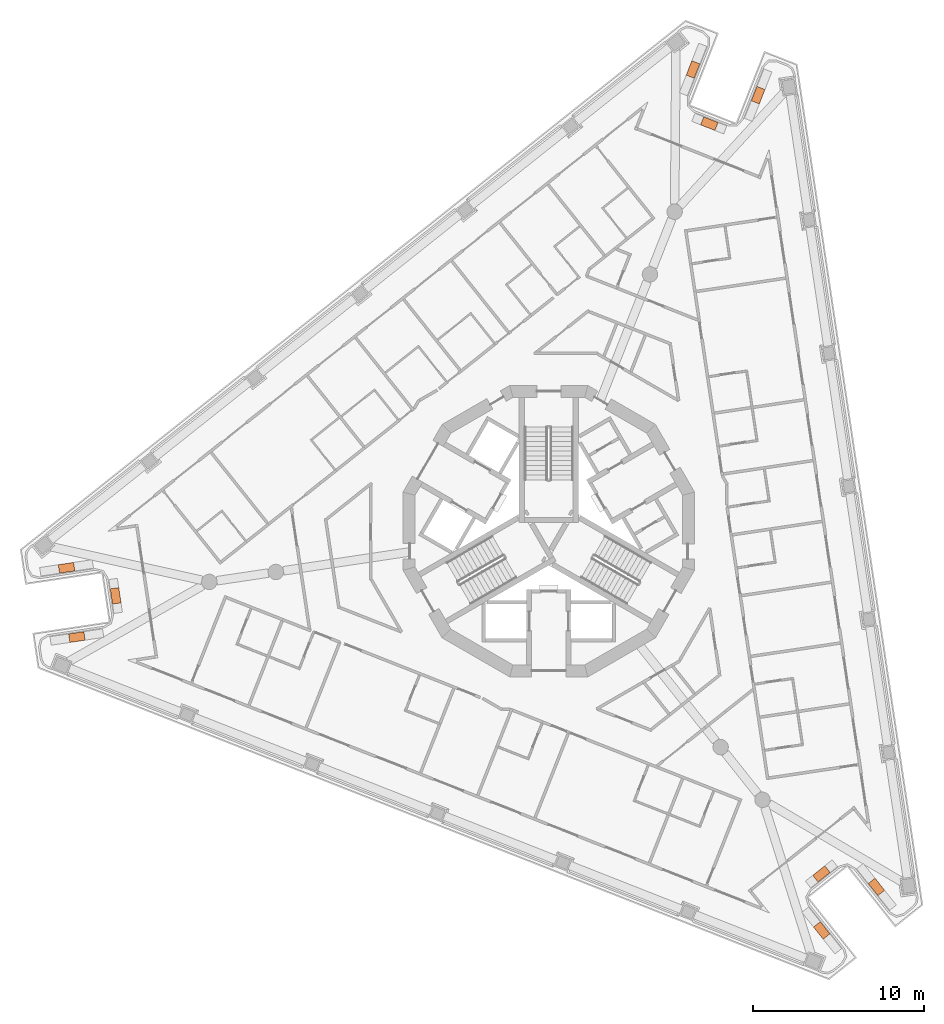
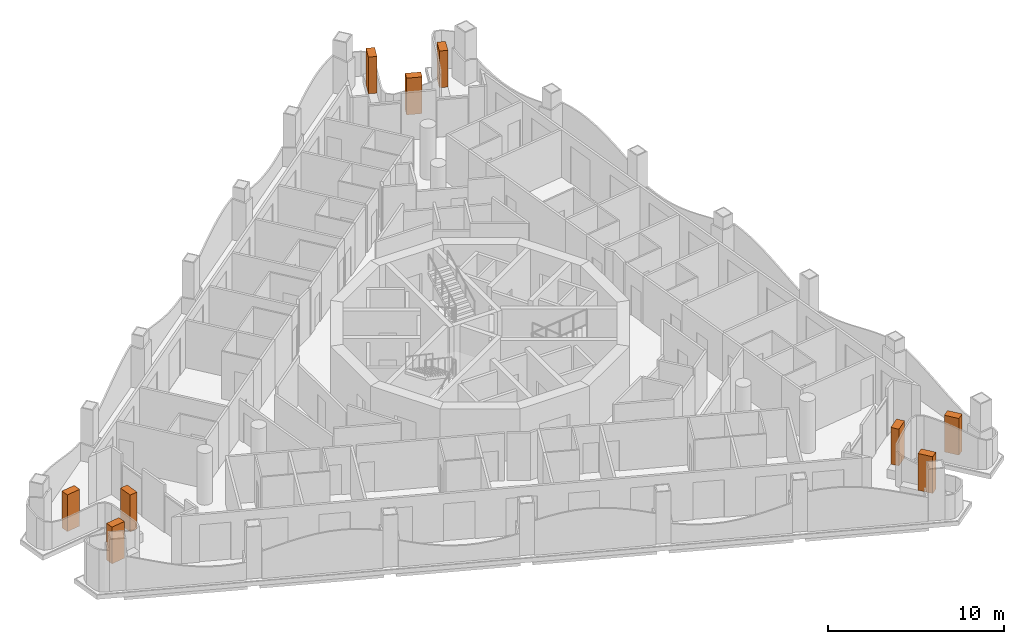
# One storey, part 17 of 17: 9 geographic elements.
"""IFC4 building model written with IfcOpenShell, lengths in metres."""

from ifc_helpers import new_model, si_unit, direction, frame, origin, origin_2d, place, context, subcontext, project, spatial, rectangle, extrude, element, save


model = new_model("IFC4")

# Units and contexts
model_context = context("Model", 3, precision=1e-05, world=origin(), true_north=direction((0.0, 1.0)))
body_context = subcontext(model_context, "Body", "Model", "MODEL_VIEW")
ifc_project = project(units=[si_unit("LENGTHUNIT", "METRE"), si_unit("AREAUNIT", "SQUARE_METRE"), si_unit("VOLUMEUNIT", "CUBIC_METRE"), si_unit("PLANEANGLEUNIT", "RADIAN"), si_unit("MASSUNIT", "GRAM", prefix="KILO")], contexts=[model_context])

# Site, building, storey
site_placement = place(None, origin())
site = spatial("IfcSite", under=ifc_project, at=site_placement, CompositionType="ELEMENT")
building_placement = place(site_placement, origin())
building = spatial("IfcBuilding", under=site, at=building_placement, Name="Trine Commons Tower", CompositionType="ELEMENT")
storey_placement = place(building_placement, frame((0.0, 0.0, 212.39990234375)))
storey = spatial("IfcBuildingStorey", under=building, at=storey_placement, Name="L55", CompositionType="ELEMENT", Elevation=212.39990234375)

# Geographic elements
for number, where, z_axis, x_axis, name in (
    (1, (52.4794921875, 56.324462890625, 0.60009765625), (0.0, 0.0, 1.0), (0.989018700917, 0.147790423361, 0.0), "Tree 1.1"),
    (2, (54.73974609375, 58.724853515625, 0.60009765625), (0.0, 0.0, 1.0), (-0.147812863445, 0.989015347404, 0.0), "Tree 2.1"),
    (3, (51.87646484375, 60.359619140625, 0.60009765625), (0.0, 0.0, 1.0), (-0.989014831433, -0.147816315759, 0.0), "Tree 3.1"),
    (4, (88.412109375, 89.421142578125, 0.60009765625), (0.0, 0.0, 1.0), (-0.366494731175, -0.930420126621, 0.0), "Tree 4.1"),
    (5, (89.360595703125, 86.263671875, 0.60009765625), (0.0, 0.0, 1.0), (0.930416928315, -0.366502850609, 0.0), "Tree 5.1"),
    (6, (92.2080078125, 87.92578125, 0.60009765625), (0.0, 0.0, 1.0), (0.366520713264, 0.930409891794, 0.0), "Tree 6.1"),
    (7, (99.1083984375, 41.75439453125, 0.60009765625), (0.0, 0.0, 1.0), (-0.622516002546, 0.782607070358, 0.0), "Tree 7.1"),
    (8, (95.899658203125, 42.511474609375, 0.60009765625), (0.0, 0.0, 1.0), (-0.782586426516, -0.622541954437, 0.0), "Tree 8.1"),
    (9, (95.915283203125, 39.214599609375, 0.60009765625), (0.0, 0.0, 1.0), (0.622516002546, -0.782607070358, 0.0), "Tree 9.1"),
):
    element("IfcGeographicElement", number, at=place(storey_placement, frame(where, z_axis=z_axis, x_axis=x_axis)), inside=storey, Name=name, ObjectType="TREE Tabebuia rosea", PredefinedType="USERDEFINED", context=body_context, shape_type="SweptSolid", body=[
        extrude(rectangle(XDim=0.89990234375, YDim=0.5, at=origin_2d()), origin(), (0.0, 0.0, 1.0), 2.550048828125),
    ])

save(model, "model.ifc")
